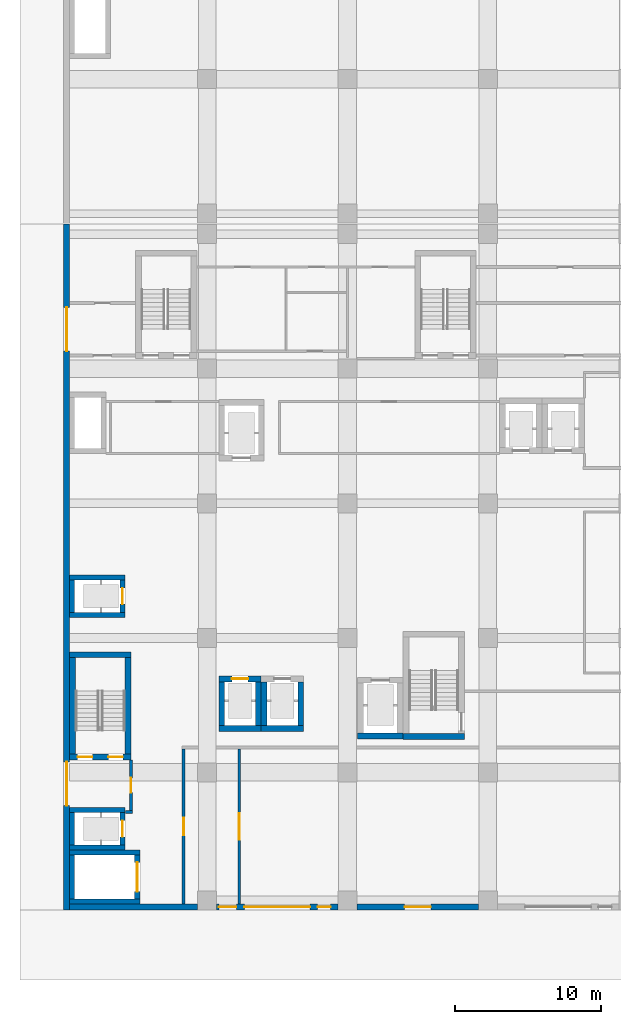
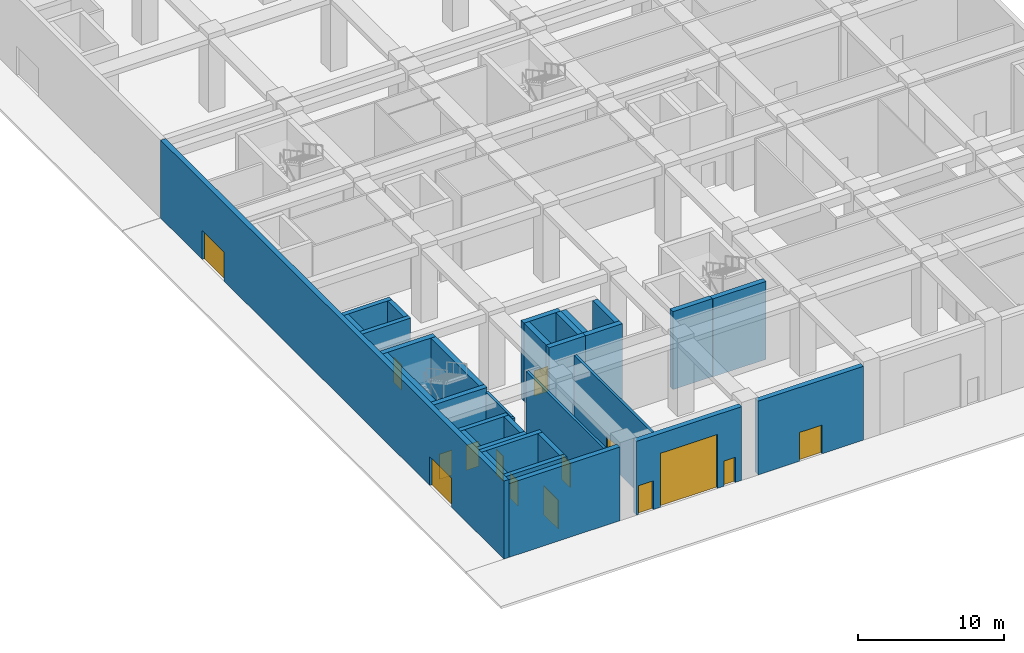
# One storey, part 16 of 45: 33 walls, 15 doors, 15 openings.
"""IFC4 building model written with IfcOpenShell, lengths in metres."""

from ifc_helpers import new_model, si_unit, direction, frame, frame_2d, origin, place, context, subcontext, project, spatial, rectangle, extrude, material, layer, layer_set, layer_usage, type_object, element, fill, save


model = new_model("IFC4")

# Units and contexts
model_context = context("Model", 3, precision=1e-05, world=origin(), true_north=direction((0.0, 1.0)))
body_context = subcontext(model_context, "Body", "Model", "MODEL_VIEW")
ifc_project = project(units=[si_unit("LENGTHUNIT", "METRE"), si_unit("AREAUNIT", "SQUARE_METRE"), si_unit("VOLUMEUNIT", "CUBIC_METRE"), si_unit("PLANEANGLEUNIT", "RADIAN"), si_unit("MASSUNIT", "GRAM", prefix="KILO")], contexts=[model_context])

# Site, building, storey
site_placement = place(None, origin())
site = spatial("IfcSite", under=ifc_project, at=site_placement, CompositionType="ELEMENT")
building_placement = place(site_placement, origin())
building = spatial("IfcBuilding", under=site, at=building_placement, Name="Nzadi Deep Aquarium and Research Tower", CompositionType="ELEMENT")
storey_placement = place(building_placement, origin())
storey = spatial("IfcBuildingStorey", under=building, at=storey_placement, Name="G", CompositionType="ELEMENT", Elevation=0.0)

# Wall
ifc_material_1 = material(Name="Blockwork masonry", Category="masonry")
ifc_layer_1 = layer(ifc_material_1, 0.199951171875)
ifc_layer_set_1 = layer_set([ifc_layer_1], Name="Blockwork masonry")
wall_type_1 = type_object("IfcWallType", Name="Partition 200 EI 120", PredefinedType="PARTITIONING", material=ifc_layer_set_1)
wall_1_placement = place(storey_placement, frame((4.006103515625, 6.5, 0.0), z_axis=(0.0, 0.0, 1.0), x_axis=(1.0, 0.0, 0.0)))
element("IfcWall", 1, at=wall_1_placement, inside=storey, type_object=wall_type_1, Name="W-Z1-G-P006", PredefinedType="PARTITIONING", context=body_context, shape_type="SweptSolid", body=[
    extrude(rectangle(XDim=0.493896484375, YDim=0.199951171875, at=frame_2d((0.2470703125, 0.0))), origin(), (0.0, 0.0, 1.0), 6.14990234375),
])

# Wall, opening, door
wall_2_placement = place(storey_placement, frame((4.39990234375, 6.60009765625, 0.0), z_axis=(0.0, 0.0, 1.0), x_axis=(0.0, 1.0, 0.0)))
wall_2 = element("IfcWall", 2, at=wall_2_placement, inside=storey, type_object=wall_type_1, Name="W-Z1-G-P007", PredefinedType="PARTITIONING", context=body_context, shape_type="SweptSolid", body=[
    extrude(rectangle(XDim=3.44384765625, YDim=0.199951171875, at=frame_2d((1.721923828125, 0.0))), origin(), (0.0, 0.0, 1.0), 6.14990234375),
])
opening_1_placement = place(wall_2_placement, frame((1.221923828125, 0.0, 0.0)))
opening_1 = element("IfcOpeningElement", 3, at=opening_1_placement, cuts=wall_2, Name="Opening D011025", PredefinedType="OPENING", context=body_context, shape_type="SweptSolid", body=[
    extrude(rectangle(XDim=1.0, YDim=2.10009765625, at=frame_2d((0.5, 1.050048828125))), frame((0.0, 0.110107421875, 0.0), z_axis=(0.0, -1.0, 0.0), x_axis=(1.0, 0.0, 0.0)), (0.0, 0.0, 1.0), 0.22021484375),
])
ifc_material_2 = material(Name="Fire-rated steel door", Category="steel")
ifc_layer_2 = layer(ifc_material_2, 0.050048828125)
ifc_layer_set_2 = layer_set([ifc_layer_2], Name="Fire-rated steel door")
door_type_1 = type_object("IfcDoorType", Name="Door 1000x2100 EI 120 single", OperationType="SINGLE_SWING_LEFT", PredefinedType="DOOR", material=ifc_layer_set_2)
door_1_placement = place(opening_1_placement, origin())
door_1 = element("IfcDoor", 4, at=door_1_placement, inside=storey, type_object=door_type_1, Name="D011025", OperationType="SINGLE_SWING_LEFT", OverallHeight=2.10009765625, OverallWidth=1.0, PredefinedType="DOOR", context=body_context, shape_type="SweptSolid", body=[
    extrude(rectangle(XDim=1.0, YDim=2.10009765625, at=frame_2d((0.5, 1.050048828125))), frame((0.0, 0.02490234375, 0.0), z_axis=(0.0, -1.0, 0.0), x_axis=(1.0, 0.0, 0.0)), (0.0, 0.0, 1.0), 0.050048828125),
])
fill(opening_1, door_1)

wall_3_placement = place(storey_placement, frame((8.0, 0.2060546875, 0.0), z_axis=(0.0, 0.0, 1.0), x_axis=(0.0, 1.0, 0.0)))
wall_3 = element("IfcWall", 5, at=wall_3_placement, inside=storey, type_object=wall_type_1, Name="W-Z1-G-P008", PredefinedType="PARTITIONING", context=body_context, shape_type="SweptSolid", body=[
    extrude(rectangle(XDim=10.593994140625, YDim=0.199951171875, at=frame_2d((5.296875, 0.0))), origin(), (0.0, 0.0, 1.0), 6.14990234375),
])
opening_2_placement = place(wall_3_placement, frame((4.697021484375, 0.0, 0.0)))
opening_2 = element("IfcOpeningElement", 6, at=opening_2_placement, cuts=wall_3, Name="Opening D011001", PredefinedType="OPENING", context=body_context, shape_type="SweptSolid", body=[
    extrude(rectangle(XDim=1.199951171875, YDim=2.10009765625, at=frame_2d((0.60009765625, 1.050048828125))), frame((0.0, 0.110107421875, 0.0), z_axis=(0.0, -1.0, 0.0), x_axis=(1.0, 0.0, 0.0)), (0.0, 0.0, 1.0), 0.22021484375),
])
ifc_material_3 = material(Name="Fire-rated steel door", Category="steel")
ifc_layer_3 = layer(ifc_material_3, 0.050048828125)
ifc_layer_set_3 = layer_set([ifc_layer_3], Name="Fire-rated steel door")
door_type_2 = type_object("IfcDoorType", Name="Door 1200x2100 EI 120 single", OperationType="SINGLE_SWING_LEFT", PredefinedType="DOOR", material=ifc_layer_set_3)
door_2_placement = place(opening_2_placement, origin())
door_2 = element("IfcDoor", 7, at=door_2_placement, inside=storey, type_object=door_type_2, Name="D011001", OperationType="SINGLE_SWING_LEFT", OverallHeight=2.10009765625, OverallWidth=1.199951171875, PredefinedType="DOOR", context=body_context, shape_type="SweptSolid", body=[
    extrude(rectangle(XDim=1.199951171875, YDim=2.10009765625, at=frame_2d((0.60009765625, 1.050048828125))), frame((0.0, 0.02490234375, 0.0), z_axis=(0.0, -1.0, 0.0), x_axis=(1.0, 0.0, 0.0)), (0.0, 0.0, 1.0), 0.050048828125),
])
fill(opening_2, door_2)

wall_4_placement = place(storey_placement, frame((11.800048828125, 0.2060546875, 0.0), z_axis=(0.0, 0.0, 1.0), x_axis=(0.0, 1.0, 0.0)))
wall_4 = element("IfcWall", 8, at=wall_4_placement, inside=storey, type_object=wall_type_1, Name="W-Z1-G-P012", PredefinedType="PARTITIONING", context=body_context, shape_type="SweptSolid", body=[
    extrude(rectangle(XDim=10.593994140625, YDim=0.199951171875, at=frame_2d((5.296875, 0.0))), origin(), (0.0, 0.0, 1.0), 6.14990234375),
])
opening_3_placement = place(wall_4_placement, frame((4.39697265625, 0.0, 0.0)))
opening_3 = element("IfcOpeningElement", 9, at=opening_3_placement, cuts=wall_4, Name="Opening D011002", PredefinedType="OPENING", context=body_context, shape_type="SweptSolid", body=[
    extrude(rectangle(XDim=1.800048828125, YDim=2.10009765625, at=frame_2d((0.89990234375, 1.050048828125))), frame((0.0, 0.110107421875, 0.0), z_axis=(0.0, -1.0, 0.0), x_axis=(1.0, 0.0, 0.0)), (0.0, 0.0, 1.0), 0.22021484375),
])
ifc_material_4 = material(Name="Fire-rated steel door", Category="steel")
ifc_layer_4 = layer(ifc_material_4, 0.050048828125)
ifc_layer_set_4 = layer_set([ifc_layer_4], Name="Fire-rated steel door")
door_type_3 = type_object("IfcDoorType", Name="Door 1800x2100 EI 120 double", OperationType="DOUBLE_DOOR_SINGLE_SWING", PredefinedType="DOOR", material=ifc_layer_set_4)
door_3_placement = place(opening_3_placement, origin())
door_3 = element("IfcDoor", 10, at=door_3_placement, inside=storey, type_object=door_type_3, Name="D011002", OperationType="DOUBLE_DOOR_SINGLE_SWING", OverallHeight=2.10009765625, OverallWidth=1.800048828125, PredefinedType="DOOR", context=body_context, shape_type="SweptSolid", body=[
    extrude(rectangle(XDim=1.800048828125, YDim=2.10009765625, at=frame_2d((0.89990234375, 1.050048828125))), frame((0.0, 0.02490234375, 0.0), z_axis=(0.0, -1.0, 0.0), x_axis=(1.0, 0.0, 0.0)), (0.0, 0.0, 1.0), 0.050048828125),
])
fill(opening_3, door_3)

# Walls
ifc_material_5 = material(Name="Concrete C35/45", Category="concrete")
ifc_layer_5 = layer(ifc_material_5, 0.35009765625)
ifc_layer_set_5 = layer_set([ifc_layer_5], Name="Concrete C35/45")
wall_type_2 = type_object("IfcWallType", Name="RC core wall 350, 5.50 to 6.50 m high", PredefinedType="SHEAR", material=ifc_layer_set_5)
for number, where, z_axis, x_axis, name in (
    (11, (0.199951171875, 0.375, 0.0), (0.0, 0.0, 1.0), (1.0, 0.0, 0.0), "W-CORE-GL1-G-S"),
    (12, (0.199951171875, 3.72509765625, 0.0), (0.0, 0.0, 1.0), (1.0, 0.0, 0.0), "W-CORE-GL1-G-N"),
):
    element("IfcWall", number, at=place(storey_placement, frame(where, z_axis=z_axis, x_axis=x_axis)), inside=storey, type_object=wall_type_2, Name=name, PredefinedType="SHEAR", context=body_context, shape_type="SweptSolid", body=[
        extrude(rectangle(XDim=4.800048828125, YDim=0.35009765625, at=frame_2d((2.39990234375, 0.0))), origin(), (0.0, 0.0, 1.0), 6.5),
    ])
wall_5_placement = place(storey_placement, frame((0.375, 0.550048828125, 0.0), z_axis=(0.0, 0.0, 1.0), x_axis=(0.0, 1.0, 0.0)))
element("IfcWall", 13, at=wall_5_placement, inside=storey, type_object=wall_type_2, Name="W-CORE-GL1-G-W", PredefinedType="SHEAR", context=body_context, shape_type="SweptSolid", body=[
    extrude(rectangle(XDim=3.0, YDim=0.35009765625, at=frame_2d((1.5, 0.0))), origin(), (0.0, 0.0, 1.0), 6.5),
])

# Wall, opening, door
wall_6_placement = place(storey_placement, frame((4.824951171875, 0.550048828125, 0.0), z_axis=(0.0, 0.0, 1.0), x_axis=(0.0, 1.0, 0.0)))
wall_6 = element("IfcWall", 14, at=wall_6_placement, inside=storey, type_object=wall_type_2, Name="W-CORE-GL1-G-E", PredefinedType="SHEAR", context=body_context, shape_type="SweptSolid", body=[
    extrude(rectangle(XDim=3.0, YDim=0.35009765625, at=frame_2d((1.5, 0.0))), origin(), (0.0, 0.0, 1.0), 6.5),
])
opening_4_placement = place(wall_6_placement, frame((0.5, 0.0, 0.0)))
opening_4 = element("IfcOpeningElement", 15, at=opening_4_placement, cuts=wall_6, Name="Opening LD-GL1-G", PredefinedType="OPENING", context=body_context, shape_type="SweptSolid", body=[
    extrude(rectangle(XDim=2.0, YDim=2.39990234375, at=frame_2d((1.0, 1.199951171875))), frame((0.0, 0.18505859375, 0.0), z_axis=(0.0, -1.0, 0.0), x_axis=(1.0, 0.0, 0.0)), (0.0, 0.0, 1.0), 0.3701171875),
])
ifc_material_6 = material(Name="Stainless steel 1.4301", Category="steel")
door_type_4 = type_object("IfcDoorType", Name="LANDING DOOR 2000x2400", OperationType="DOUBLE_DOOR_SLIDING", PredefinedType="DOOR", material=ifc_material_6)
door_4_placement = place(opening_4_placement, origin())
door_4 = element("IfcDoor", 16, at=door_4_placement, inside=storey, type_object=door_type_4, Name="Landing door GL1 G", OperationType="DOUBLE_DOOR_SLIDING", OverallHeight=2.39990234375, OverallWidth=2.0, PredefinedType="DOOR", context=body_context, shape_type="SweptSolid", body=[
    extrude(rectangle(XDim=2.0, YDim=2.39990234375, at=frame_2d((1.0, 1.199951171875))), frame((0.0, 0.02490234375, 0.0), z_axis=(0.0, -1.0, 0.0), x_axis=(1.0, 0.0, 0.0)), (0.0, 0.0, 1.0), 0.050048828125),
])
fill(opening_4, door_4)

# Walls
for number, where, z_axis, x_axis, name in (
    (17, (0.199951171875, 4.074951171875, 0.0), (0.0, 0.0, 1.0), (1.0, 0.0, 0.0), "W-CORE-EL1-G-S"),
    (18, (0.199951171875, 6.625, 0.0), (0.0, 0.0, 1.0), (1.0, 0.0, 0.0), "W-CORE-EL1-G-N"),
):
    element("IfcWall", number, at=place(storey_placement, frame(where, z_axis=z_axis, x_axis=x_axis)), inside=storey, type_object=wall_type_2, Name=name, PredefinedType="SHEAR", context=body_context, shape_type="SweptSolid", body=[
        extrude(rectangle(XDim=3.800048828125, YDim=0.35009765625, at=frame_2d((1.89990234375, 0.0))), origin(), (0.0, 0.0, 1.0), 6.5),
    ])
wall_7_placement = place(storey_placement, frame((0.375, 4.25, 0.0), z_axis=(0.0, 0.0, 1.0), x_axis=(0.0, 1.0, 0.0)))
element("IfcWall", 19, at=wall_7_placement, inside=storey, type_object=wall_type_2, Name="W-CORE-EL1-G-W", PredefinedType="SHEAR", context=body_context, shape_type="SweptSolid", body=[
    extrude(rectangle(XDim=2.199951171875, YDim=0.35009765625, at=frame_2d((1.10009765625, 0.0))), origin(), (0.0, 0.0, 1.0), 6.5),
])

# Wall, opening, door
wall_8_placement = place(storey_placement, frame((3.824951171875, 4.25, 0.0), z_axis=(0.0, 0.0, 1.0), x_axis=(0.0, 1.0, 0.0)))
wall_8 = element("IfcWall", 20, at=wall_8_placement, inside=storey, type_object=wall_type_2, Name="W-CORE-EL1-G-E", PredefinedType="SHEAR", context=body_context, shape_type="SweptSolid", body=[
    extrude(rectangle(XDim=2.199951171875, YDim=0.35009765625, at=frame_2d((1.10009765625, 0.0))), origin(), (0.0, 0.0, 1.0), 6.5),
])
opening_5_placement = place(wall_8_placement, frame((0.550048828125, 0.0, 0.0)))
opening_5 = element("IfcOpeningElement", 21, at=opening_5_placement, cuts=wall_8, Name="Opening LD-EL1-G", PredefinedType="OPENING", context=body_context, shape_type="SweptSolid", body=[
    extrude(rectangle(XDim=1.10009765625, YDim=2.10009765625, at=frame_2d((0.550048828125, 1.050048828125))), frame((0.0, 0.18505859375, 0.0), z_axis=(0.0, -1.0, 0.0), x_axis=(1.0, 0.0, 0.0)), (0.0, 0.0, 1.0), 0.3701171875),
])
ifc_material_7 = material(Name="Stainless steel 1.4301", Category="steel")
door_type_5 = type_object("IfcDoorType", Name="LANDING DOOR 1100x2100", OperationType="DOUBLE_DOOR_SLIDING", PredefinedType="DOOR", material=ifc_material_7)
door_5_placement = place(opening_5_placement, origin())
door_5 = element("IfcDoor", 22, at=door_5_placement, inside=storey, type_object=door_type_5, Name="Landing door EL1 G", OperationType="DOUBLE_DOOR_SLIDING", OverallHeight=2.10009765625, OverallWidth=1.10009765625, PredefinedType="DOOR", context=body_context, shape_type="SweptSolid", body=[
    extrude(rectangle(XDim=1.10009765625, YDim=2.10009765625, at=frame_2d((0.550048828125, 1.050048828125))), frame((0.0, 0.02490234375, 0.0), z_axis=(0.0, -1.0, 0.0), x_axis=(1.0, 0.0, 0.0)), (0.0, 0.0, 1.0), 0.050048828125),
])
fill(opening_5, door_5)

# Walls
for number, where, z_axis, x_axis, name in (
    (23, (0.199951171875, 19.97509765625, 0.0), (0.0, 0.0, 1.0), (1.0, 0.0, 0.0), "W-CORE-PL1-G-S"),
    (24, (0.199951171875, 22.52490234375, 0.0), (0.0, 0.0, 1.0), (1.0, 0.0, 0.0), "W-CORE-PL1-G-N"),
):
    element("IfcWall", number, at=place(storey_placement, frame(where, z_axis=z_axis, x_axis=x_axis)), inside=storey, type_object=wall_type_2, Name=name, PredefinedType="SHEAR", context=body_context, shape_type="SweptSolid", body=[
        extrude(rectangle(XDim=3.800048828125, YDim=0.35009765625, at=frame_2d((1.89990234375, 0.0))), origin(), (0.0, 0.0, 1.0), 6.5),
    ])
wall_9_placement = place(storey_placement, frame((0.375, 20.14990234375, 0.0), z_axis=(0.0, 0.0, 1.0), x_axis=(0.0, 1.0, 0.0)))
element("IfcWall", 25, at=wall_9_placement, inside=storey, type_object=wall_type_2, Name="W-CORE-PL1-G-W", PredefinedType="SHEAR", context=body_context, shape_type="SweptSolid", body=[
    extrude(rectangle(XDim=2.2001953125, YDim=0.35009765625, at=frame_2d((1.10009765625, 0.0))), origin(), (0.0, 0.0, 1.0), 6.5),
])

# Wall, opening, door
wall_10_placement = place(storey_placement, frame((3.824951171875, 20.14990234375, 0.0), z_axis=(0.0, 0.0, 1.0), x_axis=(0.0, 1.0, 0.0)))
wall_10 = element("IfcWall", 26, at=wall_10_placement, inside=storey, type_object=wall_type_2, Name="W-CORE-PL1-G-E", PredefinedType="SHEAR", context=body_context, shape_type="SweptSolid", body=[
    extrude(rectangle(XDim=2.2001953125, YDim=0.35009765625, at=frame_2d((1.10009765625, 0.0))), origin(), (0.0, 0.0, 1.0), 6.5),
])
opening_6_placement = place(wall_10_placement, frame((0.550048828125, 0.0, 0.0)))
opening_6 = element("IfcOpeningElement", 27, at=opening_6_placement, cuts=wall_10, Name="Opening LD-PL1-G", PredefinedType="OPENING", context=body_context, shape_type="SweptSolid", body=[
    extrude(rectangle(XDim=1.10009765625, YDim=2.10009765625, at=frame_2d((0.550048828125, 1.050048828125))), frame((0.0, 0.18505859375, 0.0), z_axis=(0.0, -1.0, 0.0), x_axis=(1.0, 0.0, 0.0)), (0.0, 0.0, 1.0), 0.3701171875),
])
door_6_placement = place(opening_6_placement, origin())
door_6 = element("IfcDoor", 28, at=door_6_placement, inside=storey, type_object=door_type_5, Name="Landing door PL1 G", OperationType="DOUBLE_DOOR_SLIDING", OverallHeight=2.10009765625, OverallWidth=1.10009765625, PredefinedType="DOOR", context=body_context, shape_type="SweptSolid", body=[
    extrude(rectangle(XDim=1.10009765625, YDim=2.10009765625, at=frame_2d((0.550048828125, 1.050048828125))), frame((0.0, 0.02490234375, 0.0), z_axis=(0.0, -1.0, 0.0), x_axis=(1.0, 0.0, 0.0)), (0.0, 0.0, 1.0), 0.050048828125),
])
fill(opening_6, door_6)

# Wall, openings, doors
ifc_material_8 = material(Name="Concrete C35/45", Category="concrete")
ifc_layer_6 = layer(ifc_material_8, 0.39990234375)
ifc_layer_set_6 = layer_set([ifc_layer_6], Name="Concrete C35/45")
wall_type_3 = type_object("IfcWallType", Name="RC core wall 400, 5.50 to 6.50 m high", PredefinedType="SHEAR", material=ifc_layer_set_6)
wall_11_placement = place(storey_placement, frame((0.199951171875, 10.25, 0.0), z_axis=(0.0, 0.0, 1.0), x_axis=(1.0, 0.0, 0.0)))
wall_11 = element("IfcWall", 29, at=wall_11_placement, inside=storey, type_object=wall_type_3, Name="W-CORE-ST-Z1-SW-G-S", PredefinedType="SHEAR", context=body_context, shape_type="SweptSolid", body=[
    extrude(rectangle(XDim=4.199951171875, YDim=0.39990234375, at=frame_2d((2.10009765625, 0.0))), origin(), (0.0, 0.0, 1.0), 6.5),
])
opening_7_placement = place(wall_11_placement, frame((0.550048828125, 0.0, 0.0)))
opening_7 = element("IfcOpeningElement", 30, at=opening_7_placement, cuts=wall_11, Name="Opening DS-Z1-SW-GA", PredefinedType="OPENING", context=body_context, shape_type="SweptSolid", body=[
    extrude(rectangle(XDim=1.0, YDim=2.10009765625, at=frame_2d((0.5, 1.050048828125))), frame((0.0, 0.2099609375, 0.0), z_axis=(0.0, -1.0, 0.0), x_axis=(1.0, 0.0, 0.0)), (0.0, 0.0, 1.0), 0.419921875),
])
opening_8_placement = place(wall_11_placement, frame((2.64990234375, 0.0, 0.0)))
opening_8 = element("IfcOpeningElement", 31, at=opening_8_placement, cuts=wall_11, Name="Opening DS-Z1-SW-GB", PredefinedType="OPENING", context=body_context, shape_type="SweptSolid", body=[
    extrude(rectangle(XDim=1.0, YDim=2.10009765625, at=frame_2d((0.5, 1.050048828125))), frame((0.0, 0.2099609375, 0.0), z_axis=(0.0, -1.0, 0.0), x_axis=(1.0, 0.0, 0.0)), (0.0, 0.0, 1.0), 0.419921875),
])
ifc_material_9 = material(Name="Steel, powder coated", Category="steel")
door_type_6 = type_object("IfcDoorType", Name="STAIR DOOR 1000x2100 EI 60", OperationType="SINGLE_SWING_LEFT", PredefinedType="DOOR", material=ifc_material_9)
door_7_placement = place(opening_7_placement, origin())
door_7 = element("IfcDoor", 32, at=door_7_placement, inside=storey, type_object=door_type_6, Name="Stair door ST-Z1-SW G A", OperationType="SINGLE_SWING_LEFT", OverallHeight=2.10009765625, OverallWidth=1.0, PredefinedType="DOOR", context=body_context, shape_type="SweptSolid", body=[
    extrude(rectangle(XDim=1.0, YDim=2.10009765625, at=frame_2d((0.5, 1.050048828125))), frame((0.0, 0.02490234375, 0.0), z_axis=(0.0, -1.0, 0.0), x_axis=(1.0, 0.0, 0.0)), (0.0, 0.0, 1.0), 0.050048828125),
])
fill(opening_7, door_7)
door_8_placement = place(opening_8_placement, origin())
door_8 = element("IfcDoor", 33, at=door_8_placement, inside=storey, type_object=door_type_6, Name="Stair door ST-Z1-SW G B", OperationType="SINGLE_SWING_RIGHT", OverallHeight=2.10009765625, OverallWidth=1.0, PredefinedType="DOOR", context=body_context, shape_type="SweptSolid", body=[
    extrude(rectangle(XDim=1.0, YDim=2.10009765625, at=frame_2d((0.5, 1.050048828125))), frame((0.0, 0.02490234375, 0.0), z_axis=(0.0, -1.0, 0.0), x_axis=(1.0, 0.0, 0.0)), (0.0, 0.0, 1.0), 0.050048828125),
])
fill(opening_8, door_8)

# Walls
wall_12_placement = place(storey_placement, frame((0.199951171875, 17.25, 0.0), z_axis=(0.0, 0.0, 1.0), x_axis=(1.0, 0.0, 0.0)))
element("IfcWall", 34, at=wall_12_placement, inside=storey, type_object=wall_type_3, Name="W-CORE-ST-Z1-SW-G-N", PredefinedType="SHEAR", context=body_context, shape_type="SweptSolid", body=[
    extrude(rectangle(XDim=4.199951171875, YDim=0.39990234375, at=frame_2d((2.10009765625, 0.0))), origin(), (0.0, 0.0, 1.0), 6.5),
])
for number, where, z_axis, x_axis, name in (
    (35, (0.39990234375, 10.449951171875, 0.0), (0.0, 0.0, 1.0), (0.0, 1.0, 0.0), "W-CORE-ST-Z1-SW-G-W"),
    (36, (4.199951171875, 10.449951171875, 0.0), (0.0, 0.0, 1.0), (0.0, 1.0, 0.0), "W-CORE-ST-Z1-SW-G-E"),
):
    element("IfcWall", number, at=place(storey_placement, frame(where, z_axis=z_axis, x_axis=x_axis)), inside=storey, type_object=wall_type_3, Name=name, PredefinedType="SHEAR", context=body_context, shape_type="SweptSolid", body=[
        extrude(rectangle(XDim=6.60009765625, YDim=0.39990234375, at=frame_2d((3.300048828125, 0.0))), origin(), (0.0, 0.0, 1.0), 6.5),
    ])
wall_13_placement = place(storey_placement, frame((23.0, 11.64990234375, 0.0), z_axis=(0.0, 0.0, 1.0), x_axis=(1.0, 0.0, 0.0)))
element("IfcWall", 37, at=wall_13_placement, inside=storey, type_object=wall_type_3, Name="W-CORE-ST-Z1-SE-G-S", PredefinedType="SHEAR", context=body_context, shape_type="SweptSolid", body=[
    extrude(rectangle(XDim=4.199951171875, YDim=0.39990234375, at=frame_2d((2.10009765625, 0.0))), origin(), (0.0, 0.0, 1.0), 6.5),
])
wall_14_placement = place(storey_placement, frame((10.39990234375, 12.199951171875, 0.0), z_axis=(0.0, 0.0, 1.0), x_axis=(1.0, 0.0, 0.0)))
element("IfcWall", 38, at=wall_14_placement, inside=storey, type_object=wall_type_3, Name="W-CORE-TL1-G-S", PredefinedType="SHEAR", context=body_context, shape_type="SweptSolid", body=[
    extrude(rectangle(XDim=2.900146484375, YDim=0.39990234375, at=frame_2d((1.4501953125, 0.0))), origin(), (0.0, 0.0, 1.0), 6.5),
])

# Wall, opening, door
wall_15_placement = place(storey_placement, frame((10.39990234375, 15.60009765625, 0.0), z_axis=(0.0, 0.0, 1.0), x_axis=(1.0, 0.0, 0.0)))
wall_15 = element("IfcWall", 39, at=wall_15_placement, inside=storey, type_object=wall_type_3, Name="W-CORE-TL1-G-N", PredefinedType="SHEAR", context=body_context, shape_type="SweptSolid", body=[
    extrude(rectangle(XDim=2.900146484375, YDim=0.39990234375, at=frame_2d((1.4501953125, 0.0))), origin(), (0.0, 0.0, 1.0), 6.5),
])
opening_9_placement = place(wall_15_placement, frame((0.89990234375, 0.0, 0.0)))
opening_9 = element("IfcOpeningElement", 40, at=opening_9_placement, cuts=wall_15, Name="Opening LD-TL1-G", PredefinedType="OPENING", context=body_context, shape_type="SweptSolid", body=[
    extrude(rectangle(XDim=1.10009765625, YDim=2.10009765625, at=frame_2d((0.550048828125, 1.050048828125))), frame((0.0, 0.2099609375, 0.0), z_axis=(0.0, -1.0, 0.0), x_axis=(1.0, 0.0, 0.0)), (0.0, 0.0, 1.0), 0.419921875),
])
door_9_placement = place(opening_9_placement, origin())
door_9 = element("IfcDoor", 41, at=door_9_placement, inside=storey, type_object=door_type_5, Name="Landing door TL1 G", OperationType="DOUBLE_DOOR_SLIDING", OverallHeight=2.10009765625, OverallWidth=1.10009765625, PredefinedType="DOOR", context=body_context, shape_type="SweptSolid", body=[
    extrude(rectangle(XDim=1.10009765625, YDim=2.10009765625, at=frame_2d((0.550048828125, 1.050048828125))), frame((0.0, 0.02490234375, 0.0), z_axis=(0.0, -1.0, 0.0), x_axis=(1.0, 0.0, 0.0)), (0.0, 0.0, 1.0), 0.050048828125),
])
fill(opening_9, door_9)

# Walls
for number, where, z_axis, x_axis, name in (
    (42, (10.60009765625, 12.39990234375, 0.0), (0.0, 0.0, 1.0), (0.0, 1.0, 0.0), "W-CORE-TL1-G-W"),
    (43, (13.10009765625, 12.39990234375, 0.0), (0.0, 0.0, 1.0), (0.0, 1.0, 0.0), "W-CORE-TL1-G-E"),
):
    element("IfcWall", number, at=place(storey_placement, frame(where, z_axis=z_axis, x_axis=x_axis)), inside=storey, type_object=wall_type_3, Name=name, PredefinedType="SHEAR", context=body_context, shape_type="SweptSolid", body=[
        extrude(rectangle(XDim=3.0, YDim=0.39990234375, at=frame_2d((1.5, 0.0))), origin(), (0.0, 0.0, 1.0), 6.5),
    ])
wall_16_placement = place(storey_placement, frame((13.300048828125, 12.199951171875, 0.0), z_axis=(0.0, 0.0, 1.0), x_axis=(1.0, 0.0, 0.0)))
element("IfcWall", 44, at=wall_16_placement, inside=storey, type_object=wall_type_3, Name="W-CORE-TL2-G-S", PredefinedType="SHEAR", context=body_context, shape_type="SweptSolid", body=[
    extrude(rectangle(XDim=2.89990234375, YDim=0.39990234375, at=frame_2d((1.449951171875, 0.0))), origin(), (0.0, 0.0, 1.0), 6.5),
])
for number, where, z_axis, x_axis, name in (
    (45, (13.5, 12.39990234375, 0.0), (0.0, 0.0, 1.0), (0.0, 1.0, 0.0), "W-CORE-TL2-G-W"),
    (46, (16.0, 12.39990234375, 0.0), (0.0, 0.0, 1.0), (0.0, 1.0, 0.0), "W-CORE-TL2-G-E"),
):
    element("IfcWall", number, at=place(storey_placement, frame(where, z_axis=z_axis, x_axis=x_axis)), inside=storey, type_object=wall_type_3, Name=name, PredefinedType="SHEAR", context=body_context, shape_type="SweptSolid", body=[
        extrude(rectangle(XDim=3.0, YDim=0.39990234375, at=frame_2d((1.5, 0.0))), origin(), (0.0, 0.0, 1.0), 6.5),
    ])
wall_17_placement = place(storey_placement, frame((19.89990234375, 11.699951171875, 0.0), z_axis=(0.0, 0.0, 1.0), x_axis=(1.0, 0.0, 0.0)))
element("IfcWall", 47, at=wall_17_placement, inside=storey, type_object=wall_type_3, Name="W-CORE-FL1-G-S", PredefinedType="SHEAR", context=body_context, shape_type="SweptSolid", body=[
    extrude(rectangle(XDim=3.10009765625, YDim=0.39990234375, at=frame_2d((1.550048828125, 0.0))), origin(), (0.0, 0.0, 1.0), 6.5),
])

# Wall, openings, doors
ifc_material_10 = material(Name="Concrete C35/45", Category="concrete")
ifc_layer_7 = layer(ifc_material_10, 0.39990234375)
ifc_layer_set_7 = layer_set([ifc_layer_7], Name="Concrete C35/45")
wall_type_4 = type_object("IfcWallType", Name="RC party wall 400", PredefinedType="SHEAR", material=ifc_layer_set_7)
wall_18_placement = place(storey_placement, frame((0.00048828125, -0.199951171875, 0.0), z_axis=(0.0, 0.0, 1.0), x_axis=(0.0, 1.0, 0.0)))
wall_18 = element("IfcWall", 48, at=wall_18_placement, inside=storey, type_object=wall_type_4, Name="W-PTY-Z1-G-W", PredefinedType="SHEAR", context=body_context, shape_type="SweptSolid", body=[
    extrude(rectangle(XDim=46.8798828125, YDim=0.39990234375, at=frame_2d((23.43994140625, 0.0))), origin(), (0.0, 0.0, 1.0), 6.5),
])
opening_10_placement = place(wall_18_placement, frame((7.125, 0.0, 0.0)))
opening_10 = element("IfcOpeningElement", 49, at=opening_10_placement, cuts=wall_18, Name="Opening DE020", PredefinedType="OPENING", context=body_context, shape_type="SweptSolid", body=[
    extrude(rectangle(XDim=3.0, YDim=2.39990234375, at=frame_2d((1.5, 1.199951171875))), frame((0.0, 0.2099609375, 0.0), z_axis=(0.0, -1.0, 0.0), x_axis=(1.0, 0.0, 0.0)), (0.0, 0.0, 1.0), 0.419921875),
])
opening_11_placement = place(wall_18_placement, frame((38.199951171875, 0.0, 0.0)))
opening_11 = element("IfcOpeningElement", 50, at=opening_11_placement, cuts=wall_18, Name="Opening DE022", PredefinedType="OPENING", context=body_context, shape_type="SweptSolid", body=[
    extrude(rectangle(XDim=3.0, YDim=2.39990234375, at=frame_2d((1.5, 1.199951171875))), frame((0.0, 0.2099609375, 0.0), z_axis=(0.0, -1.0, 0.0), x_axis=(1.0, 0.0, 0.0)), (0.0, 0.0, 1.0), 0.419921875),
])
ifc_material_11 = material(Name="Aluminium framed glazing", Category="aluminium")
door_type_7 = type_object("IfcDoorType", Name="Pedestrian exit double door 3000x2400", OperationType="DOUBLE_DOOR_SINGLE_SWING", PredefinedType="DOOR", material=ifc_material_11)
door_10_placement = place(opening_10_placement, origin())
door_10 = element("IfcDoor", 51, at=door_10_placement, inside=storey, type_object=door_type_7, Name="Pedestrian exit 1", OperationType="DOUBLE_DOOR_SINGLE_SWING", OverallHeight=2.39990234375, OverallWidth=3.0, PredefinedType="DOOR", context=body_context, shape_type="SweptSolid", body=[
    extrude(rectangle(XDim=3.0, YDim=2.39990234375, at=frame_2d((1.5, 1.199951171875))), frame((0.0, 0.02490234375, 0.0), z_axis=(0.0, -1.0, 0.0), x_axis=(1.0, 0.0, 0.0)), (0.0, 0.0, 1.0), 0.050048828125),
])
fill(opening_10, door_10)
door_11_placement = place(opening_11_placement, origin())
door_11 = element("IfcDoor", 52, at=door_11_placement, inside=storey, type_object=door_type_7, Name="Pedestrian exit 3", OperationType="DOUBLE_DOOR_SINGLE_SWING", OverallHeight=2.39990234375, OverallWidth=3.0, PredefinedType="DOOR", context=body_context, shape_type="SweptSolid", body=[
    extrude(rectangle(XDim=3.0, YDim=2.39990234375, at=frame_2d((1.5, 1.199951171875))), frame((0.0, 0.02490234375, 0.0), z_axis=(0.0, -1.0, 0.0), x_axis=(1.0, 0.0, 0.0)), (0.0, 0.0, 1.0), 0.050048828125),
])
fill(opening_11, door_11)

# Wall
ifc_material_12 = material(Name="Concrete C35/45", Category="concrete")
ifc_layer_8 = layer(ifc_material_12, 0.25, Category="cladding")
ifc_material_13 = material(Name="Mineral wool insulation")
ifc_layer_9 = layer(ifc_material_13, 0.10009765625, Category="insulation")
ifc_material_14 = material(Name="Concrete block lining", Category="concrete")
ifc_layer_10 = layer(ifc_material_14, 0.050048828125, Category="lining")
ifc_layer_set_8 = layer_set([ifc_layer_8, ifc_layer_9, ifc_layer_10], Name="Concrete C35/45, Mineral wool insulation, Concrete block lining")
ifc_layer_usage_1 = layer_usage(ifc_layer_set_8, "AXIS2", "POSITIVE", -0.199951171875)
wall_type_5 = type_object("IfcWallType", Name="South end wall board-formed concrete 400", PredefinedType="ELEMENTEDWALL", material=ifc_layer_set_8)
wall_19_placement = place(storey_placement, frame((0.199951171875, 0.0, 0.0), z_axis=(0.0, 0.0, 1.0), x_axis=(1.0, 0.0, 0.0)))
element("IfcWall", 53, at=wall_19_placement, inside=storey, type_object=wall_type_5, material=ifc_layer_usage_1, Name="South end wall G", PredefinedType="ELEMENTEDWALL", context=body_context, shape_type="SweptSolid", body=[
    extrude(rectangle(XDim=8.75, YDim=0.39990234375, at=frame_2d((4.375, 0.0))), origin(), (0.0, 0.0, 1.0), 6.14990234375),
])

# Wall, openings, doors
ifc_layer_usage_2 = layer_usage(ifc_layer_set_8, "AXIS2", "POSITIVE", -0.199951171875)
wall_20_placement = place(storey_placement, frame((10.25, 0.0, 0.0), z_axis=(0.0, 0.0, 1.0), x_axis=(1.0, 0.0, 0.0)))
wall_20 = element("IfcWall", 54, at=wall_20_placement, inside=storey, type_object=wall_type_5, material=ifc_layer_usage_2, Name="South end wall G", PredefinedType="ELEMENTEDWALL", context=body_context, shape_type="SweptSolid", body=[
    extrude(rectangle(XDim=8.300048828125, YDim=0.39990234375, at=frame_2d((4.14990234375, 0.0))), origin(), (0.0, 0.0, 1.0), 6.14990234375),
])
opening_12_placement = place(wall_20_placement, frame((0.14990234375, 0.0, 0.0)))
opening_12 = element("IfcOpeningElement", 55, at=opening_12_placement, cuts=wall_20, Name="Opening DE013", PredefinedType="OPENING", context=body_context, shape_type="SweptSolid", body=[
    extrude(rectangle(XDim=1.199951171875, YDim=2.39990234375, at=frame_2d((0.60009765625, 1.199951171875))), frame((0.0, 0.2099609375, 0.0), z_axis=(0.0, -1.0, 0.0), x_axis=(1.0, 0.0, 0.0)), (0.0, 0.0, 1.0), 0.419921875),
])
opening_13_placement = place(wall_20_placement, frame((1.89990234375, 0.0, 0.0)))
opening_13 = element("IfcOpeningElement", 56, at=opening_13_placement, cuts=wall_20, Name="Opening DE014", PredefinedType="OPENING", context=body_context, shape_type="SweptSolid", body=[
    extrude(rectangle(XDim=4.5, YDim=4.5, at=frame_2d((2.25, 2.25))), frame((0.0, 0.2099609375, 0.0), z_axis=(0.0, -1.0, 0.0), x_axis=(1.0, 0.0, 0.0)), (0.0, 0.0, 1.0), 0.419921875),
])
opening_14_placement = place(wall_20_placement, frame((6.89990234375, 0.0, 0.0)))
opening_14 = element("IfcOpeningElement", 57, at=opening_14_placement, cuts=wall_20, Name="Opening DE015", PredefinedType="OPENING", context=body_context, shape_type="SweptSolid", body=[
    extrude(rectangle(XDim=0.89990234375, YDim=2.10009765625, at=frame_2d((0.449951171875, 1.050048828125))), frame((0.0, 0.2099609375, 0.0), z_axis=(0.0, -1.0, 0.0), x_axis=(1.0, 0.0, 0.0)), (0.0, 0.0, 1.0), 0.419921875),
])
ifc_material_15 = material(Name="Steel, galvanised", Category="steel")
door_type_8 = type_object("IfcDoorType", Name="Animal reception door 1200x2400", OperationType="SINGLE_SWING_RIGHT", PredefinedType="DOOR", material=ifc_material_15)
door_12_placement = place(opening_12_placement, frame((1.199951171875, 0.0, 0.0), z_axis=(0.0, 0.0, 1.0), x_axis=(-1.0, 0.0, 0.0)))
door_12 = element("IfcDoor", 58, at=door_12_placement, inside=storey, type_object=door_type_8, Name="Animal reception door", OperationType="SINGLE_SWING_RIGHT", OverallHeight=2.39990234375, OverallWidth=1.199951171875, PredefinedType="DOOR", context=body_context, shape_type="SweptSolid", body=[
    extrude(rectangle(XDim=1.199951171875, YDim=2.39990234375, at=frame_2d((0.60009765625, 1.199951171875))), frame((0.0, 0.02490234375, 0.0), z_axis=(0.0, -1.0, 0.0), x_axis=(1.0, 0.0, 0.0)), (0.0, 0.0, 1.0), 0.050048828125),
])
fill(opening_12, door_12)
ifc_material_16 = material(Name="Steel, galvanised", Category="steel")
door_type_9 = type_object("IfcDoorType", Name="Dock personnel door 900x2100", OperationType="SINGLE_SWING_RIGHT", PredefinedType="DOOR", material=ifc_material_16)
door_13_placement = place(opening_14_placement, frame((0.89990234375, 0.0, 0.0), z_axis=(0.0, 0.0, 1.0), x_axis=(-1.0, 0.0, 0.0)))
door_13 = element("IfcDoor", 59, at=door_13_placement, inside=storey, type_object=door_type_9, Name="Dock personnel door 1", OperationType="SINGLE_SWING_LEFT", OverallHeight=2.10009765625, OverallWidth=0.89990234375, PredefinedType="DOOR", context=body_context, shape_type="SweptSolid", body=[
    extrude(rectangle(XDim=0.89990234375, YDim=2.10009765625, at=frame_2d((0.449951171875, 1.050048828125))), frame((0.0, 0.02490234375, 0.0), z_axis=(0.0, -1.0, 0.0), x_axis=(1.0, 0.0, 0.0)), (0.0, 0.0, 1.0), 0.050048828125),
])
fill(opening_14, door_13)
ifc_material_17 = material(Name="Steel, galvanised", Category="steel")
door_type_10 = type_object("IfcDoorType", Name="Vehicle gate 4500x4500", OperationType="ROLLINGUP", PredefinedType="GATE", material=ifc_material_17)
door_14_placement = place(opening_13_placement, frame((4.5, 0.0, 0.0), z_axis=(0.0, 0.0, 1.0), x_axis=(-1.0, 0.0, 0.0)))
door_14 = element("IfcDoor", 60, at=door_14_placement, inside=storey, type_object=door_type_10, Name="Vehicle gate 1", OperationType="ROLLINGUP", OverallHeight=4.5, OverallWidth=4.5, PredefinedType="GATE", context=body_context, shape_type="SweptSolid", body=[
    extrude(rectangle(XDim=4.5, YDim=4.5, at=frame_2d((2.25, 2.25))), frame((0.0, 0.02490234375, 0.0), z_axis=(0.0, -1.0, 0.0), x_axis=(1.0, 0.0, 0.0)), (0.0, 0.0, 1.0), 0.050048828125),
])
fill(opening_13, door_14)

# Wall, opening, door
ifc_layer_usage_3 = layer_usage(ifc_layer_set_8, "AXIS2", "POSITIVE", -0.199951171875)
wall_21_placement = place(storey_placement, frame((19.85009765625, 0.0, 0.0), z_axis=(0.0, 0.0, 1.0), x_axis=(1.0, 0.0, 0.0)))
wall_21 = element("IfcWall", 61, at=wall_21_placement, inside=storey, type_object=wall_type_5, material=ifc_layer_usage_3, Name="South end wall G", PredefinedType="ELEMENTEDWALL", context=body_context, shape_type="SweptSolid", body=[
    extrude(rectangle(XDim=8.2998046875, YDim=0.39990234375, at=frame_2d((4.14990234375, 0.0))), origin(), (0.0, 0.0, 1.0), 6.14990234375),
])
opening_15_placement = place(wall_21_placement, frame((3.25, 0.0, 0.0)))
opening_15 = element("IfcOpeningElement", 62, at=opening_15_placement, cuts=wall_21, Name="Opening DE016", PredefinedType="OPENING", context=body_context, shape_type="SweptSolid", body=[
    extrude(rectangle(XDim=1.800048828125, YDim=2.39990234375, at=frame_2d((0.89990234375, 1.199951171875))), frame((0.0, 0.2099609375, 0.0), z_axis=(0.0, -1.0, 0.0), x_axis=(1.0, 0.0, 0.0)), (0.0, 0.0, 1.0), 0.419921875),
])
ifc_material_18 = material(Name="Steel, galvanised", Category="steel")
door_type_11 = type_object("IfcDoorType", Name="Receiving double door 1800x2400", OperationType="DOUBLE_DOOR_SINGLE_SWING", PredefinedType="DOOR", material=ifc_material_18)
door_15_placement = place(opening_15_placement, frame((1.800048828125, 0.0, 0.0), z_axis=(0.0, 0.0, 1.0), x_axis=(-1.0, 0.0, 0.0)))
door_15 = element("IfcDoor", 63, at=door_15_placement, inside=storey, type_object=door_type_11, Name="Quarantine receiving door", OperationType="DOUBLE_DOOR_SINGLE_SWING", OverallHeight=2.39990234375, OverallWidth=1.800048828125, PredefinedType="DOOR", context=body_context, shape_type="SweptSolid", body=[
    extrude(rectangle(XDim=1.800048828125, YDim=2.39990234375, at=frame_2d((0.89990234375, 1.199951171875))), frame((0.0, 0.02490234375, 0.0), z_axis=(0.0, -1.0, 0.0), x_axis=(1.0, 0.0, 0.0)), (0.0, 0.0, 1.0), 0.050048828125),
])
fill(opening_15, door_15)

save(model, "model.ifc")
